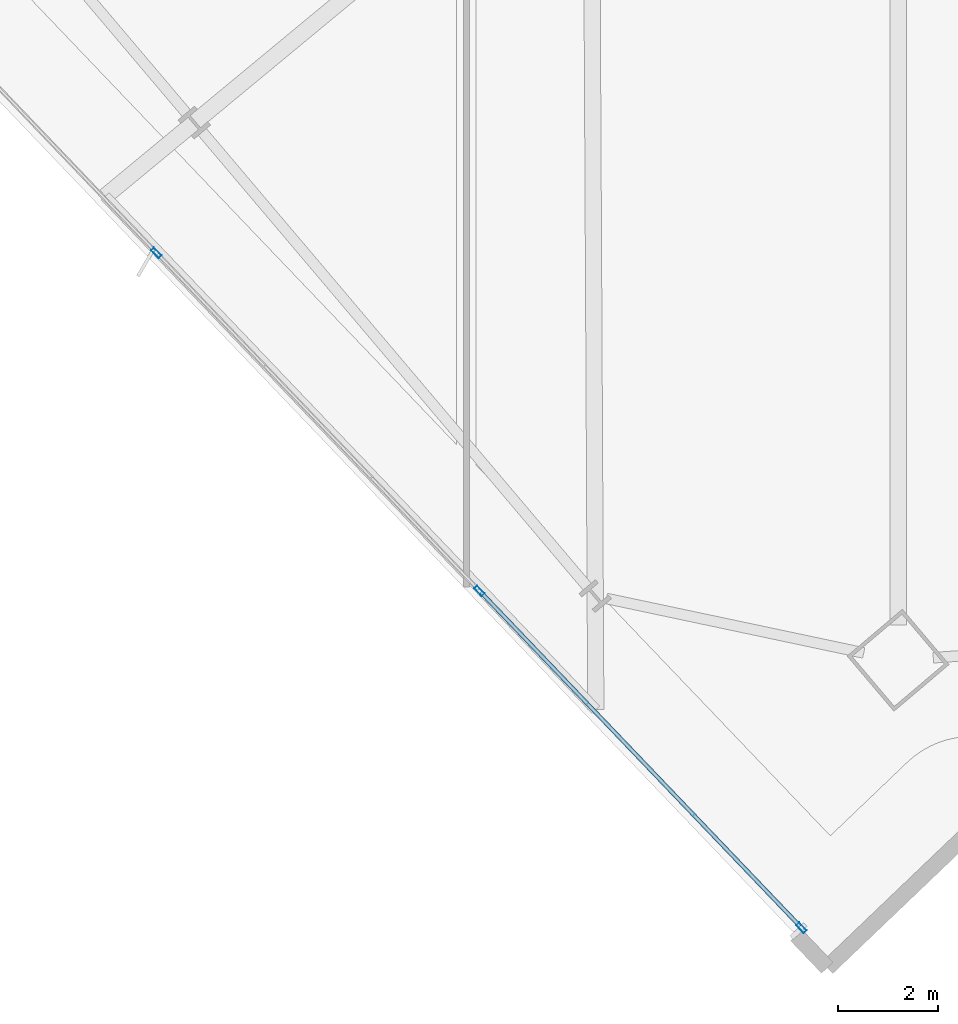
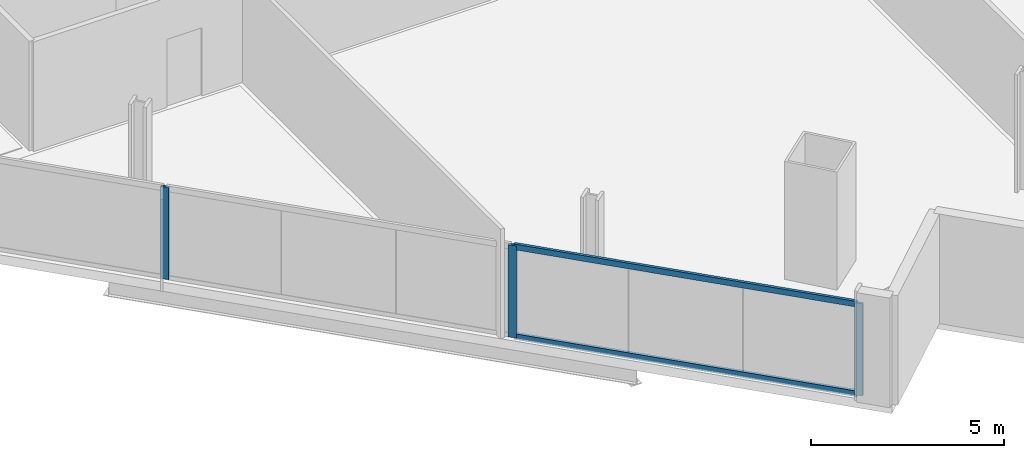
# One storey, part 2 of 33: 5 members, 1 element without a shape of its own.
"""IFC4 building model written with IfcOpenShell, lengths in metres."""

from ifc_helpers import new_model, si_unit, direction, frame, origin, origin_2d, place, context, subcontext, project, spatial, hollow_rectangle, extrude, material, material_profile, profile_set, type_object, element, aggregate, save


model = new_model("IFC4")

# Units and contexts
model_context = context("Model", 3, precision=1e-05, world=origin(), true_north=direction((0.0, 1.0)))
body_context = subcontext(model_context, "Body", "Model", "MODEL_VIEW")
ifc_project = project(units=[si_unit("LENGTHUNIT", "METRE"), si_unit("AREAUNIT", "SQUARE_METRE"), si_unit("VOLUMEUNIT", "CUBIC_METRE"), si_unit("PLANEANGLEUNIT", "RADIAN"), si_unit("MASSUNIT", "GRAM", prefix="KILO")], contexts=[model_context])

# Site, building, storey
site_placement = place(None, origin())
site = spatial("IfcSite", under=ifc_project, at=site_placement, CompositionType="ELEMENT")
building_placement = place(site_placement, origin())
building = spatial("IfcBuilding", under=site, at=building_placement, Name="Haldenkirk Collegiate Tower", CompositionType="ELEMENT")
storey_placement = place(building_placement, frame((0.0, 0.0, 174.449951171875)))
storey = spatial("IfcBuildingStorey", under=building, at=storey_placement, Name="L43", CompositionType="ELEMENT", Elevation=174.449951171875)

# Curtain wall, members
ifc_material = material(Name="Anodised architectural bronze aluminium", Category="aluminium")
curtain_wall_type = type_object("IfcCurtainWallType", Name="CW-SYS1-CONVEX-LOW", PredefinedType="USERDEFINED", material=ifc_material)
curtain_wall_placement = place(storey_placement, origin())
curtain_wall = element("IfcCurtainWall", 1, at=curtain_wall_placement, inside=storey, type_object=curtain_wall_type, Name="L43 Lower tower convex bronze-framed unitised curtain wall", ObjectType="UNITISED CURTAIN WALL", PredefinedType="USERDEFINED")
ifc_material_profile_1 = material_profile(ifc_material, hollow_rectangle(XDim=0.080078125, YDim=0.219970703125, WallThickness=0.0048828125, at=origin_2d()), Name="CW-MUL-1A")
ifc_profile_set_1 = profile_set([ifc_material_profile_1], Name="Anodised architectural bronze aluminium")
member_type_1 = type_object("IfcMemberType", Name="CW-MUL-1A", PredefinedType="MULLION", material=ifc_profile_set_1)
member_1_placement = place(storey_placement, frame((31.211669921875, -4.697265625, 0.0), z_axis=(0.0, 0.0, 1.0), x_axis=(-0.722967469611, -0.690882072342, 0.0)))
member_1 = element("IfcMember", 2, at=member_1_placement, type_object=member_type_1, Name="CW-1A mullion 1", PredefinedType="MULLION", context=body_context, shape_type="SweptSolid", body=[
    extrude(hollow_rectangle(XDim=0.080078125, YDim=0.219970703125, WallThickness=0.0048828125, at=origin_2d()), origin(), (0.0, 0.0, 1.0), 2.9111328125),
])
member_2_placement = place(storey_placement, frame((24.7666015625, 2.047119140625, 0.0), z_axis=(0.0, 0.0, 1.0), x_axis=(-0.722967469611, -0.690882072342, 0.0)))
member_2 = element("IfcMember", 3, at=member_2_placement, type_object=member_type_1, Name="CW-1A mullion 2", PredefinedType="MULLION", context=body_context, shape_type="SweptSolid", body=[
    extrude(hollow_rectangle(XDim=0.080078125, YDim=0.219970703125, WallThickness=0.0048828125, at=origin_2d()), origin(), (0.0, 0.0, 1.0), 2.9111328125),
])
member_3_placement = place(storey_placement, frame((18.2939453125, 8.8203125, 0.0), z_axis=(0.0, 0.0, 1.0), x_axis=(-0.722967469611, -0.690882072342, 0.0)))
member_3 = element("IfcMember", 4, at=member_3_placement, type_object=member_type_1, Name="CW-1A mullion 3", PredefinedType="MULLION", context=body_context, shape_type="SweptSolid", body=[
    extrude(hollow_rectangle(XDim=0.080078125, YDim=0.219970703125, WallThickness=0.0048828125, at=origin_2d()), origin(), (0.0, 0.0, 1.0), 2.9111328125),
])
ifc_material_profile_2 = material_profile(ifc_material, hollow_rectangle(XDim=0.080078125, YDim=0.179931640625, WallThickness=0.0048828125, at=origin_2d()), Name="CW-TRN-1A")
ifc_profile_set_2 = profile_set([ifc_material_profile_2], Name="Anodised architectural bronze aluminium")
member_type_2 = type_object("IfcMemberType", Name="CW-TRN-1A", PredefinedType="USERDEFINED", material=ifc_profile_set_2)
member_4_placement = place(storey_placement, frame((31.18408203125, -4.66845703125, 0.0400390625), z_axis=(-0.690888740034, 0.722961097774, 0.0), x_axis=(-0.722961097774, -0.690888740034, 0.0)))
member_4 = element("IfcMember", 5, at=member_4_placement, type_object=member_type_2, Name="CW-1A transom 1.1", ObjectType="TRANSOM", PredefinedType="USERDEFINED", context=body_context, shape_type="SweptSolid", body=[
    extrude(hollow_rectangle(XDim=0.080078125, YDim=0.179931640625, WallThickness=0.0048828125, at=origin_2d()), origin(), (0.0, 0.0, 1.0), 9.248779296875),
])
member_5_placement = place(storey_placement, frame((31.18408203125, -4.66845703125, 2.87109375), z_axis=(-0.690888740034, 0.722961097774, 0.0), x_axis=(-0.722961097774, -0.690888740034, 0.0)))
member_5 = element("IfcMember", 6, at=member_5_placement, type_object=member_type_2, Name="CW-1A transom 1.2", ObjectType="TRANSOM", PredefinedType="USERDEFINED", context=body_context, shape_type="SweptSolid", body=[
    extrude(hollow_rectangle(XDim=0.080078125, YDim=0.179931640625, WallThickness=0.0048828125, at=origin_2d()), origin(), (0.0, 0.0, 1.0), 9.248779296875),
])
aggregate(curtain_wall, [member_1, member_2, member_3, member_4, member_5])

save(model, "model.ifc")
